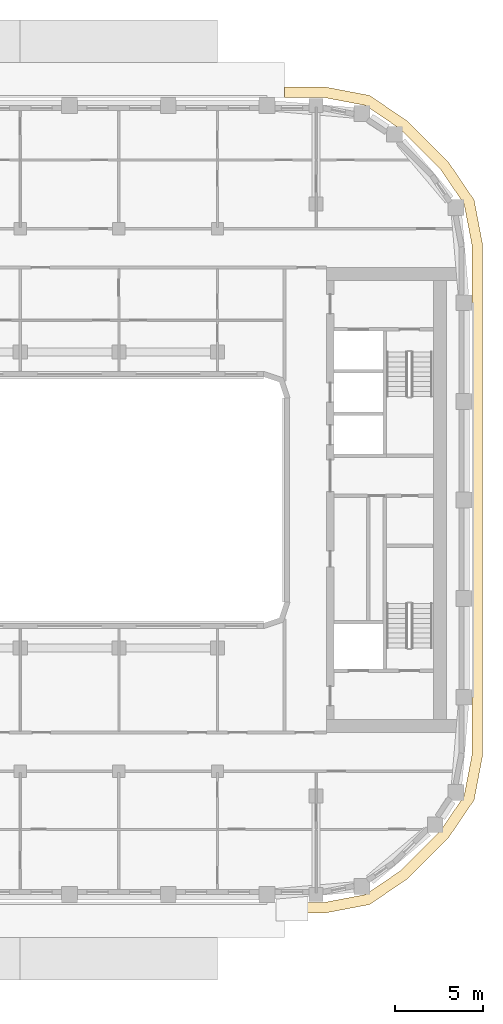
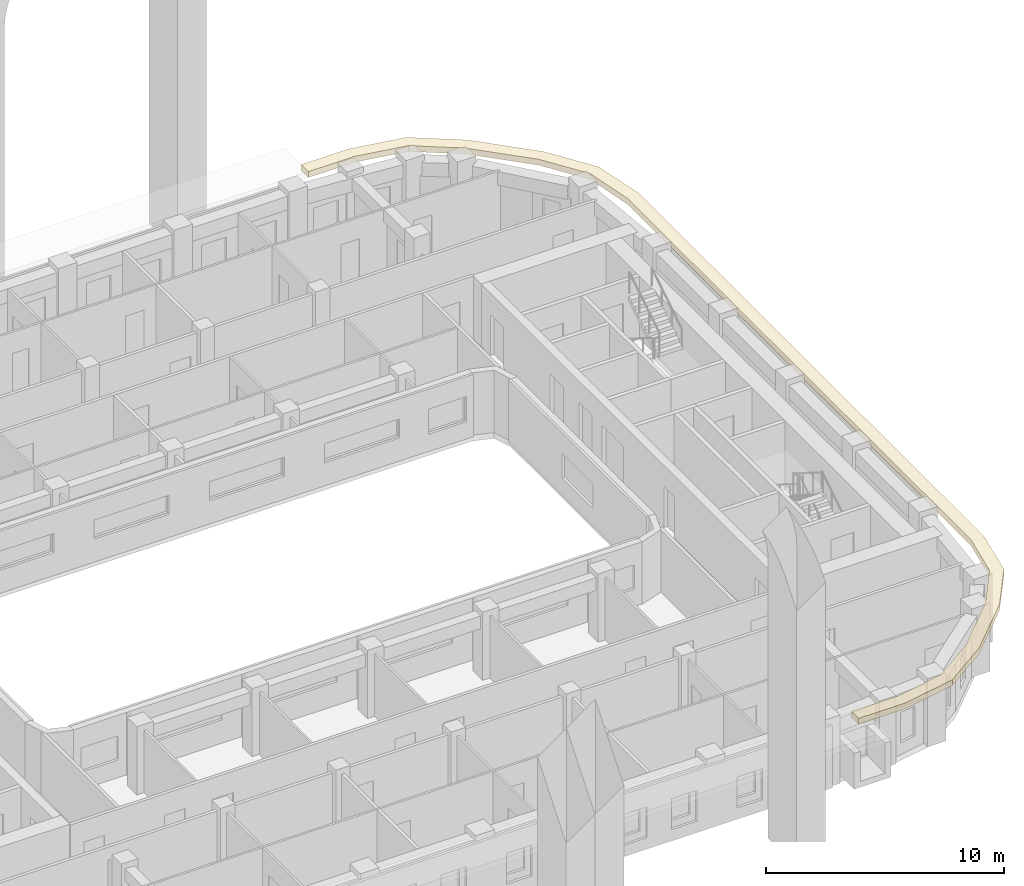
# One storey, part 14 of 18: 1 covering.
"""IFC4 building model written with IfcOpenShell, lengths in metres."""

from ifc_helpers import new_model, si_unit, direction, frame, origin, place, context, subcontext, project, spatial, polyline, outline, extrude, material, layer, layer_set, type_object, element, save


model = new_model("IFC4")

# Units and contexts
model_context = context("Model", 3, precision=1e-05, world=origin(), true_north=direction((0.0, 1.0)))
body_context = subcontext(model_context, "Body", "Model", "MODEL_VIEW")
ifc_project = project(units=[si_unit("LENGTHUNIT", "METRE"), si_unit("AREAUNIT", "SQUARE_METRE"), si_unit("VOLUMEUNIT", "CUBIC_METRE"), si_unit("PLANEANGLEUNIT", "RADIAN"), si_unit("MASSUNIT", "GRAM", prefix="KILO")], contexts=[model_context])

# Site, building, storey
site_placement = place(None, origin())
site = spatial("IfcSite", under=ifc_project, at=site_placement, CompositionType="ELEMENT")
building_placement = place(site_placement, origin())
building = spatial("IfcBuilding", under=site, at=building_placement, Name="Kiln Ring Residences", CompositionType="ELEMENT")
storey_placement = place(building_placement, frame((0.0, 0.0, 209.89990234375)))
storey = spatial("IfcBuildingStorey", under=building, at=storey_placement, Name="L54", CompositionType="ELEMENT", Elevation=209.89990234375)

# Covering
ifc_material = material(Name="Black powder-coated steel", Category="steel")
ifc_layer = layer(ifc_material, 0.300048828125)
ifc_layer_set = layer_set([ifc_layer], Name="SUNSHADE FIN 600")
covering_type = type_object("IfcCoveringType", Name="SUNSHADE FIN 600", PredefinedType="CLADDING", material=ifc_layer_set)
covering_placement = place(storey_placement, frame((0.0, 0.0, 3.2001953125)))
element("IfcCovering", 1, at=covering_placement, inside=storey, type_object=covering_type, Name="SUNSHADE FIN L54", PredefinedType="CLADDING", context=body_context, shape_type="SweptSolid", body=[
    extrude(outline(polyline([(17.29931640625, 23.449951171875), (15.0, 23.449951171875), (15.0, 22.85009765625), (17.242431640625, 22.85009765625), (19.60009765625, 22.400390625), (21.585205078125, 21.05126953125), (23.851318359375, 18.78515625), (25.2001953125, 16.800048828125), (25.64990234375, 14.4423828125), (25.64990234375, -14.4423828125), (25.2001953125, -16.800048828125), (23.851318359375, -18.78515625), (21.585205078125, -21.05126953125), (19.60009765625, -22.400390625), (17.242431640625, -22.85009765625), (15.0, -22.85009765625), (15.0, -23.449951171875), (17.29931640625, -23.449951171875), (19.834716796875, -22.96630859375), (21.96923828125, -21.515625), (24.315673828125, -19.169189453125), (25.766357421875, -17.03466796875), (26.25, -14.499267578125), (26.25, 14.499267578125), (25.766357421875, 17.03466796875), (24.315673828125, 19.169189453125), (21.96923828125, 21.515625), (19.834716796875, 22.96630859375), (17.29931640625, 23.449951171875)])), origin(), (0.0, 0.0, 1.0), 0.2998046875),
])

save(model, "model.ifc")
